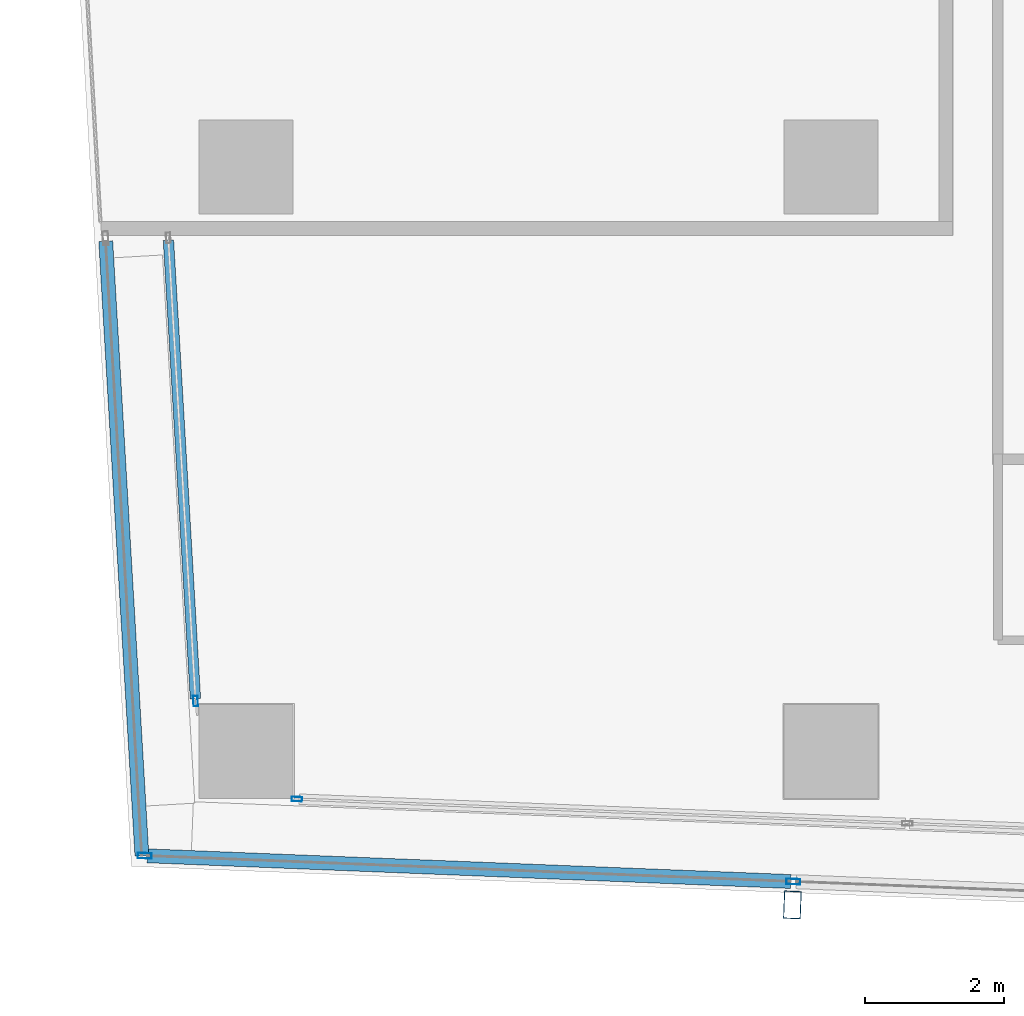
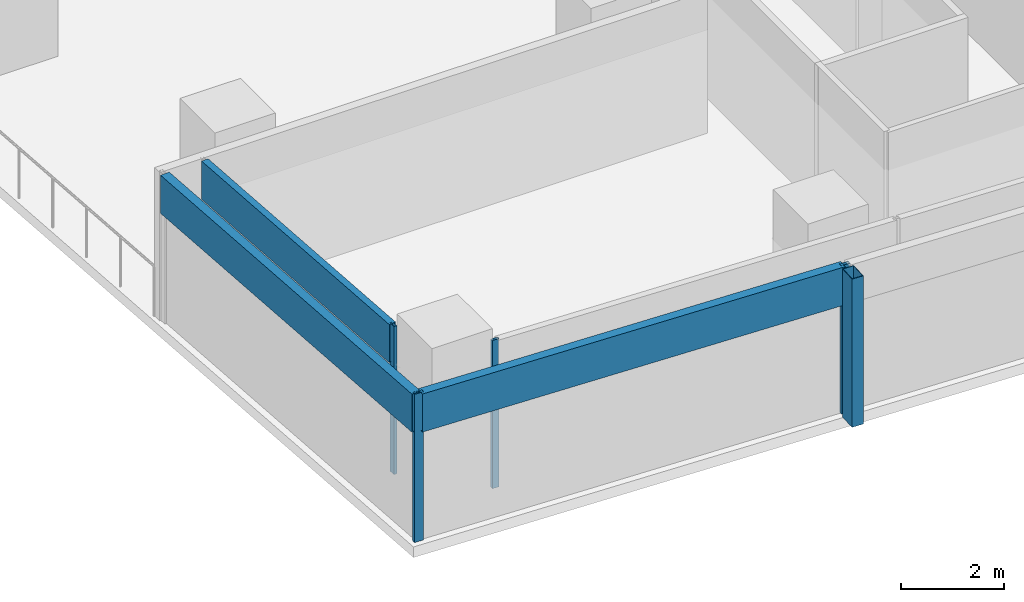
# One storey, part 2 of 39: 8 members, 4 elements without a shape of their own.
"""IFC4 building model written with IfcOpenShell, lengths in metres."""

import ifcopenshell
import ifcopenshell.guid

model = None  # the IFC model being written
_history = None  # IfcOwnerHistory: only IFC2X3 demands one
_inside = {}  # id of a spatial element -> (the spatial element, [elements in it])
_under = {}  # id of a project, library or spatial element -> (it, [spatial elements below it])
_declared = {}  # id of a project -> (the project, [libraries it declares])
_typed = {}  # id of a type object -> (the type object, [elements of that type])
_made_of = {}  # id of a material, layer set ... -> (it, [elements and type objects made of it])


def new_model(schema):
    """Start an empty IFC model of exactly this schema.

    Asked for "IFC4X3", IfcOpenShell would pick the latest addendum, in which some entities
    have other attributes; the version numbers below select the first issue.
    IFC2X3 requires an IfcOwnerHistory on every rooted entity: one is made here for all.
    """
    global model, _history
    if schema == "IFC4X3":
        model = ifcopenshell.file(schema_version=(4, 3, 0, 0))
    else:
        model = ifcopenshell.file(schema=schema)
    _inside.clear()
    _under.clear()
    _declared.clear()
    _typed.clear()
    _made_of.clear()
    _history = None
    if model.schema == "IFC2X3":
        org = make("IfcOrganization", Name="unknown")
        user = make(
            "IfcPersonAndOrganization",
            ThePerson=make("IfcPerson", FamilyName="unknown"),
            TheOrganization=org,
        )
        app = make(
            "IfcApplication",
            ApplicationDeveloper=org,
            Version="unknown",
            ApplicationFullName="unknown",
            ApplicationIdentifier="unknown",
        )
        _history = make(
            "IfcOwnerHistory",
            OwningUser=user,
            OwningApplication=app,
            ChangeAction="ADDED",
            CreationDate=0,
        )
    return model


def make(cls, **values):
    """One entity of the class cls with the attributes given. An attribute that is None is left unset."""
    return model.create_entity(
        cls, **{name: value for name, value in values.items() if value is not None}
    )


def rooted(cls, **values):
    """An entity with a GlobalId (a new one), such as an element, a storey or a relation."""
    return make(cls, GlobalId=ifcopenshell.guid.new(), OwnerHistory=_history, **values)


def si_unit(unit_type, name, prefix=None):
    """IfcSIUnit, for example si_unit("LENGTHUNIT", "METRE", prefix="MILLI")."""
    return make("IfcSIUnit", UnitType=unit_type, Prefix=prefix, Name=name)


def assignment(units):
    """IfcUnitAssignment: the units of a project."""
    return None if units is None else make("IfcUnitAssignment", Units=units)


def point(xyz):
    """IfcCartesianPoint."""
    return None if xyz is None else make("IfcCartesianPoint", Coordinates=xyz)


def direction(xyz):
    """IfcDirection."""
    return None if xyz is None else make("IfcDirection", DirectionRatios=xyz)


def frame(location, z_axis=None, x_axis=None):
    """IfcAxis2Placement3D, a coordinate frame: its origin and axes. An axis left out is left unset."""
    return make(
        "IfcAxis2Placement3D",
        Location=point(location),
        Axis=direction(z_axis),
        RefDirection=direction(x_axis),
    )


def frame_2d(location, x_axis=None):
    """IfcAxis2Placement2D, a coordinate frame in the plane: its origin and x axis."""
    return make(
        "IfcAxis2Placement2D", Location=point(location), RefDirection=direction(x_axis)
    )


def origin():
    """The frame at (0, 0, 0) with its axes left unset."""
    return frame((0.0, 0.0, 0.0))


def origin_2d():
    """The frame at (0, 0) in the plane with its x axis left unset."""
    return frame_2d((0.0, 0.0))


def place(relative_to, where):
    """IfcLocalPlacement: puts the frame where relative to a parent placement (None: the world)."""
    return make(
        "IfcLocalPlacement", PlacementRelTo=relative_to, RelativePlacement=where
    )


def context(
    kind, dimensions, precision=None, world=None, true_north=None, identifier=None
):
    """IfcGeometricRepresentationContext, for example the 3D "Model" context."""
    return make(
        "IfcGeometricRepresentationContext",
        ContextIdentifier=identifier,
        ContextType=kind,
        CoordinateSpaceDimension=dimensions,
        Precision=precision,
        WorldCoordinateSystem=world,
        TrueNorth=true_north,
    )


def subcontext(parent, identifier, kind, view, scale=None):
    """IfcGeometricRepresentationSubContext, for example "Body" below "Model"."""
    return make(
        "IfcGeometricRepresentationSubContext",
        ContextIdentifier=identifier,
        ContextType=kind,
        ParentContext=parent,
        TargetScale=scale,
        TargetView=view,
    )


def project(units=None, contexts=None):
    """IfcProject with its units and contexts."""
    return rooted(
        "IfcProject",
        Name="project",
        RepresentationContexts=contexts,
        UnitsInContext=assignment(units),
    )


def spatial(cls, under=None, at=None, **own):
    """A site, building, storey or space (cls), placed at a placement, below another one or the project."""
    s = rooted(cls, ObjectPlacement=at, **own)
    if under is not None:
        _under.setdefault(under.id(), (under, []))[1].append(s)
    return s


def profile(cls, at=None, kind="AREA", **sizes):
    """A parametric profile (cls). Its sizes go by their IFC names, for example OverallWidth=200.0."""
    return make(cls, ProfileType=kind, Position=at, **sizes)


def hollow_rectangle(**sizes):
    """IfcRectangleHollowProfileDef."""
    return profile("IfcRectangleHollowProfileDef", **sizes)


def extrude(swept, where, along, depth):
    """IfcExtrudedAreaSolid: the profile swept, set in the frame where, extruded along a direction by depth."""
    return make(
        "IfcExtrudedAreaSolid",
        SweptArea=swept,
        Position=where,
        ExtrudedDirection=direction(along),
        Depth=depth,
    )


def shape(context_of_items, identifier, shape_type, items):
    """IfcShapeRepresentation: the items that make up one representation, for example the "Body"."""
    return make(
        "IfcShapeRepresentation",
        ContextOfItems=context_of_items,
        RepresentationIdentifier=identifier,
        RepresentationType=shape_type,
        Items=items,
    )


def material(Name=None, Category=None):
    """IfcMaterial."""
    return make("IfcMaterial", Name=Name, Category=Category)


def material_profile(
    of_material, cross_section, Name=None, Category=None, Priority=None
):
    """IfcMaterialProfile: a cross section and its material."""
    return make(
        "IfcMaterialProfile",
        Name=Name,
        Material=of_material,
        Profile=cross_section,
        Priority=Priority,
        Category=Category,
    )


def profile_set(profiles, Name=None, composite=None):
    """IfcMaterialProfileSet."""
    return make(
        "IfcMaterialProfileSet",
        Name=Name,
        MaterialProfiles=profiles,
        CompositeProfile=composite,
    )


def made_of(thing, what):
    """Note that an element or type object is made of a material, layer set ...; save() writes the relation."""
    if what is not None:
        _made_of.setdefault(what.id(), (what, []))[1].append(thing)
    return thing


def type_object(cls, material=None, **own):
    """A type object (cls), such as IfcWallType, which elements share."""
    return made_of(rooted(cls, **own), material)


def element(
    cls,
    number,
    at=None,
    inside=None,
    cuts=None,
    type_object=None,
    material=None,
    context=None,
    identifier="Body",
    shape_type=None,
    held_by="IfcProductDefinitionShape",
    body=None,
    shapes=None,
    **own,
):
    """One element of the class cls, such as IfcWall. Its Tag is "e" and its number.

    at: its placement. inside: the storey or other place that contains it. cuts: it is an
    opening in that element (IfcRelVoidsElement). A single representation is given by context,
    identifier, shape_type and body (its items); several are given by shapes. held_by: the class
    of the entity that holds the representations. save() writes the other relations.
    """
    e = rooted(cls, Tag="e%d" % number, ObjectPlacement=at, **own)
    if body is not None:
        shapes = [shape(context, identifier, shape_type, body)]
    if shapes is not None:
        e.Representation = make(held_by, Representations=shapes)
    if inside is not None:
        _inside.setdefault(inside.id(), (inside, []))[1].append(e)
    if cuts is not None:
        rooted(
            "IfcRelVoidsElement", RelatingBuildingElement=cuts, RelatedOpeningElement=e
        )
    if type_object is not None:
        _typed.setdefault(type_object.id(), (type_object, []))[1].append(e)
    return made_of(e, material)


def aggregate(whole, parts):
    """IfcRelAggregates: a whole, such as a stair, and the parts it consists of."""
    return rooted("IfcRelAggregates", RelatingObject=whole, RelatedObjects=parts)


def save(model, path):
    """Write the relations noted so far, then the file.

    IfcRelAggregates (storeys below a building ...), IfcRelContainedInSpatialStructure (elements
    in a storey), IfcRelDefinesByType, IfcRelAssociatesMaterial and IfcRelDeclares: one each for
    every whole, place, type object, material and project.
    """
    for whole, parts in _under.values():
        aggregate(whole, parts)
    for where, things in _inside.values():
        rooted(
            "IfcRelContainedInSpatialStructure",
            RelatedElements=things,
            RelatingStructure=where,
        )
    for kind, things in _typed.values():
        rooted("IfcRelDefinesByType", RelatedObjects=things, RelatingType=kind)
    for what, things in _made_of.values():
        rooted("IfcRelAssociatesMaterial", RelatedObjects=things, RelatingMaterial=what)
    for by, libraries in _declared.values():
        rooted("IfcRelDeclares", RelatingContext=by, RelatedDefinitions=libraries)
    model.write(path)


model = new_model("IFC4")

# Units and contexts
model_context = context("Model", 3, precision=1e-05, world=origin(), true_north=direction((0.0, 1.0)))
body_context = subcontext(model_context, "Body", "Model", "MODEL_VIEW")
ifc_project = project(units=[si_unit("LENGTHUNIT", "METRE"), si_unit("AREAUNIT", "SQUARE_METRE"), si_unit("VOLUMEUNIT", "CUBIC_METRE"), si_unit("PLANEANGLEUNIT", "RADIAN"), si_unit("MASSUNIT", "GRAM", prefix="KILO")], contexts=[model_context])

# Site, building, storey
site_placement = place(None, origin())
site = spatial("IfcSite", under=ifc_project, at=site_placement, CompositionType="ELEMENT")
building_placement = place(site_placement, origin())
building = spatial("IfcBuilding", under=site, at=building_placement, Name="Rekha Terrace Tower", CompositionType="ELEMENT")
storey_placement = place(building_placement, frame((0.0, 0.0, 221.449951171875)))
storey = spatial("IfcBuildingStorey", under=building, at=storey_placement, Name="L56", CompositionType="ELEMENT", Elevation=221.449951171875)

# Curtain wall, member
ifc_material_1 = material(Name="Aluminium framing", Category="aluminium")
curtain_wall_type_1 = type_object("IfcCurtainWallType", Name="CW2 double skin outer glazing", PredefinedType="USERDEFINED", material=ifc_material_1)
curtain_wall_1_placement = place(storey_placement, origin())
curtain_wall_1 = element("IfcCurtainWall", 1, at=curtain_wall_1_placement, inside=storey, type_object=curtain_wall_type_1, Name="CW2 double skin outer glazing", ObjectType="DOUBLE SKIN OUTER GLAZING", PredefinedType="USERDEFINED")
ifc_material_2 = material(Name="Steel S355 with fluorocarbon finish", Category="steel")
ifc_material_profile_1 = material_profile(ifc_material_2, hollow_rectangle(XDim=0.25, YDim=0.39990234375, WallThickness=0.012451171875, at=origin_2d()), Name="RHS400x250x12.5")
ifc_profile_set_1 = profile_set([ifc_material_profile_1], Name="Steel S355 with fluorocarbon finish")
member_type_1 = type_object("IfcMemberType", Name="BL1 facade blade RHS 400 x 250", PredefinedType="USERDEFINED", material=ifc_profile_set_1)
member_1_placement = place(storey_placement, frame((16.24658203125, 14.595947265625, 0.0), z_axis=(0.0, 0.0, 1.0), x_axis=(0.999204797763, -0.039871946621, 0.0)))
member_1 = element("IfcMember", 2, at=member_1_placement, type_object=member_type_1, Name="Facade blade", ObjectType="FACADE BLADE", PredefinedType="USERDEFINED", context=body_context, shape_type="SweptSolid", body=[
    extrude(hollow_rectangle(XDim=0.25, YDim=0.39990234375, WallThickness=0.012451171875, at=origin_2d()), origin(), (0.0, 0.0, 1.0), 3.5),
])

curtain_wall_type_2 = type_object("IfcCurtainWallType", Name="CW1 double skin inner glazing", PredefinedType="USERDEFINED", material=ifc_material_1)
curtain_wall_2_placement = place(storey_placement, origin())
curtain_wall_2 = element("IfcCurtainWall", 3, at=curtain_wall_2_placement, inside=storey, type_object=curtain_wall_type_2, Name="CW1 double skin inner glazing", ObjectType="DOUBLE SKIN INNER GLAZING", PredefinedType="USERDEFINED")
ifc_material_3 = material(Name="Aluminium mullion section", Category="aluminium")
ifc_material_profile_2 = material_profile(ifc_material_3, hollow_rectangle(XDim=0.06494140625, YDim=0.14990234375, WallThickness=0.00390625, at=origin_2d()), Name="AL RHS 65x150")
ifc_profile_set_2 = profile_set([ifc_material_profile_2], Name="Aluminium mullion section")
member_type_2 = type_object("IfcMemberType", Name="CW1 mullion RHS 65 x 150", PredefinedType="MULLION", material=ifc_profile_set_2)
member_2_placement = place(storey_placement, frame((9.127197265625, 16.115966796875, 0.0), z_axis=(0.0, 0.0, 1.0), x_axis=(0.039872497061, 0.999204775798, 0.0)))
member_2 = element("IfcMember", 4, at=member_2_placement, type_object=member_type_2, Name="CW1 mullion 1", PredefinedType="MULLION", context=body_context, shape_type="SweptSolid", body=[
    extrude(hollow_rectangle(XDim=0.06494140625, YDim=0.14990234375, WallThickness=0.00390625, at=origin_2d()), origin(), (0.0, 0.0, 1.0), 3.5),
])
aggregate(curtain_wall_2, [member_2])

# Curtain wall, members
curtain_wall_3_placement = place(storey_placement, origin())
curtain_wall_3 = element("IfcCurtainWall", 5, at=curtain_wall_3_placement, inside=storey, type_object=curtain_wall_type_2, Name="CW1 double skin inner glazing", ObjectType="DOUBLE SKIN INNER GLAZING", PredefinedType="USERDEFINED")
member_3_placement = place(storey_placement, frame((7.672119140625, 17.5244140625, 0.0), z_axis=(0.0, 0.0, 1.0), x_axis=(0.998271839274, 0.058765082429, 0.0)))
member_3 = element("IfcMember", 6, at=member_3_placement, type_object=member_type_2, Name="CW1 mullion 2", PredefinedType="MULLION", context=body_context, shape_type="SweptSolid", body=[
    extrude(hollow_rectangle(XDim=0.06494140625, YDim=0.14990234375, WallThickness=0.00390625, at=origin_2d()), origin(), (0.0, 0.0, 1.0), 3.5),
])
ifc_material_4 = material(Name="Insulated aluminium spandrel box", Category="aluminium")
ifc_material_profile_3 = material_profile(ifc_material_4, hollow_rectangle(XDim=0.14990234375, YDim=0.89990234375, WallThickness=0.0029296875, at=origin_2d()), Name="AL SPANDREL BOX 150x900")
ifc_profile_set_3 = profile_set([ifc_material_profile_3], Name="Insulated aluminium spandrel box")
member_type_3 = type_object("IfcMemberType", Name="CW1 spandrel transom 150 x 900", PredefinedType="USERDEFINED", material=ifc_profile_set_3)
member_4_placement = place(storey_placement, frame((7.2822265625, 24.147216796875, 3.050048828125), z_axis=(0.058763211366, -0.998271949416, 0.0), x_axis=(0.998271949416, 0.058763211366, 0.0)))
member_4 = element("IfcMember", 7, at=member_4_placement, type_object=member_type_3, Name="CW1 spandrel transom 1", ObjectType="TRANSOM", PredefinedType="USERDEFINED", context=body_context, shape_type="SweptSolid", body=[
    extrude(hollow_rectangle(XDim=0.14990234375, YDim=0.89990234375, WallThickness=0.0029296875, at=origin_2d()), origin(), (0.0, 0.0, 1.0), 6.601806640625),
])
aggregate(curtain_wall_3, [member_3, member_4])

# Member
ifc_material_profile_4 = material_profile(ifc_material_3, hollow_rectangle(XDim=0.080078125, YDim=0.199951171875, WallThickness=0.00390625, at=origin_2d()), Name="AL RHS 80x200")
ifc_profile_set_4 = profile_set([ifc_material_profile_4], Name="Aluminium mullion section")
member_type_4 = type_object("IfcMemberType", Name="CW2 mullion RHS 80 x 200", PredefinedType="MULLION", material=ifc_profile_set_4)
member_5_placement = place(storey_placement, frame((6.941162109375, 15.302490234375, 0.0), z_axis=(0.0, 0.0, 1.0), x_axis=(0.039872497044, 0.999204775799, 0.0)))
member_5 = element("IfcMember", 8, at=member_5_placement, type_object=member_type_4, Name="CW2 mullion 1", PredefinedType="MULLION", context=body_context, shape_type="SweptSolid", body=[
    extrude(hollow_rectangle(XDim=0.080078125, YDim=0.199951171875, WallThickness=0.00390625, at=origin_2d()), origin(), (0.0, 0.0, 1.0), 3.5),
])

member_6_placement = place(storey_placement, frame((16.259765625, 14.9306640625, 0.0), z_axis=(0.0, 0.0, 1.0), x_axis=(0.039872497044, 0.999204775799, 0.0)))
member_6 = element("IfcMember", 9, at=member_6_placement, type_object=member_type_4, Name="CW2 mullion 2", PredefinedType="MULLION", context=body_context, shape_type="SweptSolid", body=[
    extrude(hollow_rectangle(XDim=0.080078125, YDim=0.199951171875, WallThickness=0.00390625, at=origin_2d()), origin(), (0.0, 0.0, 1.0), 3.5),
])

ifc_material_profile_5 = material_profile(ifc_material_4, hollow_rectangle(XDim=0.199951171875, YDim=0.89990234375, WallThickness=0.0029296875, at=origin_2d()), Name="AL SPANDREL BOX 200x900")
ifc_profile_set_5 = profile_set([ifc_material_profile_5], Name="Insulated aluminium spandrel box")
member_type_5 = type_object("IfcMemberType", Name="CW2 spandrel transom 200 x 900", PredefinedType="USERDEFINED", material=ifc_profile_set_5)
member_7_placement = place(storey_placement, frame((6.981201171875, 15.301025390625, 3.050048828125), z_axis=(0.999203782278, -0.039897386899, 0.0), x_axis=(0.039897386899, 0.999203782278, 0.0)))
member_7 = element("IfcMember", 10, at=member_7_placement, type_object=member_type_5, Name="CW2 spandrel transom 1", ObjectType="TRANSOM", PredefinedType="USERDEFINED", context=body_context, shape_type="SweptSolid", body=[
    extrude(hollow_rectangle(XDim=0.199951171875, YDim=0.89990234375, WallThickness=0.0029296875, at=origin_2d()), origin(), (0.0, 0.0, 1.0), 9.24609375),
])

aggregate(curtain_wall_1, [member_5, member_6, member_7, member_1])

# Curtain wall, member
curtain_wall_4_placement = place(storey_placement, origin())
curtain_wall_4 = element("IfcCurtainWall", 11, at=curtain_wall_4_placement, inside=storey, type_object=curtain_wall_type_1, Name="CW2 double skin outer glazing", ObjectType="DOUBLE SKIN OUTER GLAZING", PredefinedType="USERDEFINED")
member_8_placement = place(storey_placement, frame((6.381591796875, 24.132080078125, 3.050048828125), z_axis=(0.058749534594, -0.998272754404, 0.0), x_axis=(0.998272754404, 0.058749534594, 0.0)))
member_8 = element("IfcMember", 12, at=member_8_placement, type_object=member_type_5, Name="CW2 spandrel transom 1", ObjectType="TRANSOM", PredefinedType="USERDEFINED", context=body_context, shape_type="SweptSolid", body=[
    extrude(hollow_rectangle(XDim=0.199951171875, YDim=0.89990234375, WallThickness=0.0029296875, at=origin_2d()), origin(), (0.0, 0.0, 1.0), 8.84326171875),
])
aggregate(curtain_wall_4, [member_8])

save(model, "model.ifc")
